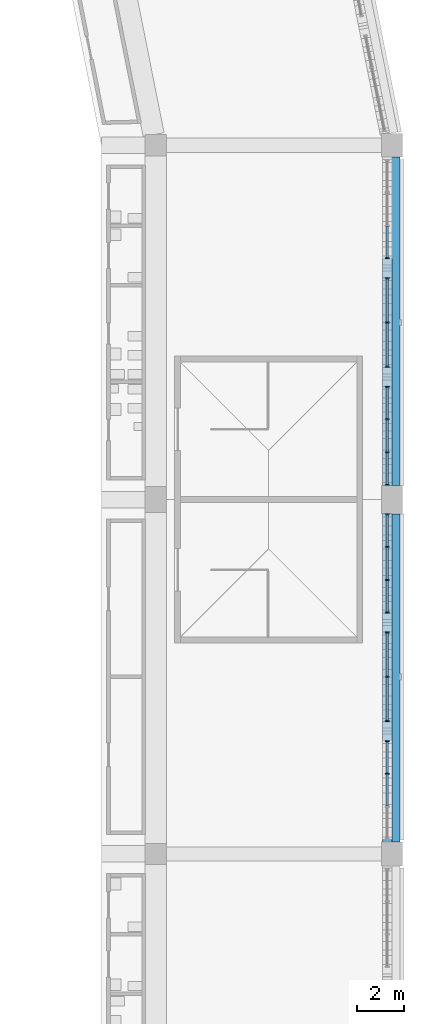
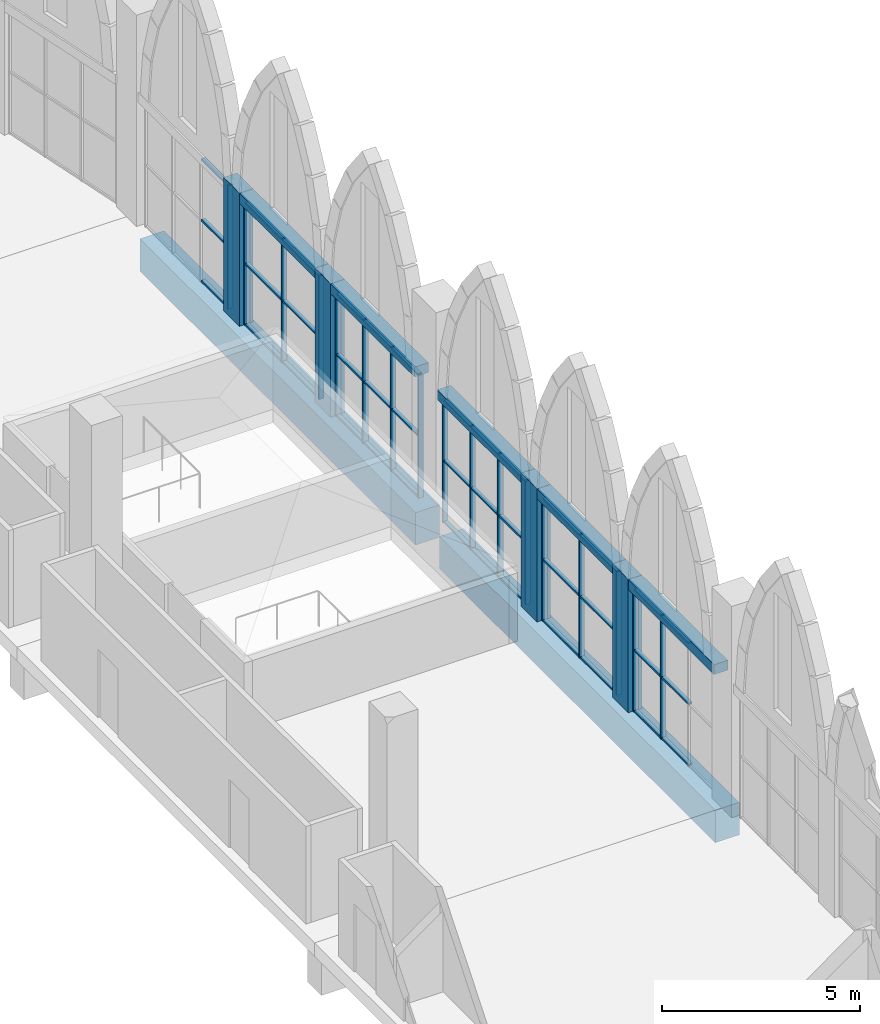
# One storey, part 41 of 130: 60 members, 7 beams, 6 elements without a shape of their own.
"""IFC4 building model written with IfcOpenShell, lengths in metres."""

from ifc_helpers import new_model, si_unit, direction, frame, origin, origin_2d, place, context, subcontext, project, spatial, rectangle, extrude, material, material_profile, profile_set, type_object, element, aggregate, save


model = new_model("IFC4")

# Units and contexts
model_context = context("Model", 3, precision=1e-05, world=origin(), true_north=direction((0.0, 1.0)))
body_context = subcontext(model_context, "Body", "Model", "MODEL_VIEW")
ifc_project = project(units=[si_unit("LENGTHUNIT", "METRE"), si_unit("AREAUNIT", "SQUARE_METRE"), si_unit("VOLUMEUNIT", "CUBIC_METRE"), si_unit("PLANEANGLEUNIT", "RADIAN"), si_unit("MASSUNIT", "GRAM", prefix="KILO")], contexts=[model_context])

# Site, building, storey
site_placement = place(None, origin())
site = spatial("IfcSite", under=ifc_project, at=site_placement, CompositionType="ELEMENT")
building_placement = place(site_placement, origin())
building = spatial("IfcBuilding", under=site, at=building_placement, Name="Ogive Plaza Stadium", CompositionType="ELEMENT")
storey_placement = place(building_placement, frame((0.0, 0.0, 22.5)))
storey = spatial("IfcBuildingStorey", under=building, at=storey_placement, Name="L05", CompositionType="ELEMENT", Elevation=22.5)

# Curtain wall, member
ifc_material_1 = material(Name="Bronze-anodised aluminium with laminated glass", Category="aluminium")
curtain_wall_type = type_object("IfcCurtainWallType", Name="Lancet curtain wall", PredefinedType="NOTDEFINED", material=ifc_material_1)
curtain_wall_1_placement = place(storey_placement, origin())
curtain_wall_1 = element("IfcCurtainWall", 1, at=curtain_wall_1_placement, inside=storey, type_object=curtain_wall_type, Name="CURTAIN WALL B01 L05", PredefinedType="NOTDEFINED")
ifc_material_2 = material(Name="Bronze-anodised aluminium", Category="aluminium")
ifc_material_profile_1 = material_profile(ifc_material_2, rectangle(XDim=0.14990234375, YDim=0.050048828125, at=origin_2d()), Name="AL 150x50")
ifc_profile_set_1 = profile_set([ifc_material_profile_1], Name="Bronze-anodised aluminium")
member_type_1 = type_object("IfcMemberType", Name="Curtain wall mullion 50x150", PredefinedType="MULLION", material=ifc_profile_set_1)
member_1_placement = place(storey_placement, frame((83.800048828125, 47.72509765625, 0.0), z_axis=(0.0, 0.0, 1.0), x_axis=(1.0, 0.0, 0.0)))
member_1 = element("IfcMember", 2, at=member_1_placement, type_object=member_type_1, Name="CW-B01-L05.1 mullion 4", PredefinedType="MULLION", context=body_context, shape_type="SweptSolid", body=[
    extrude(rectangle(XDim=0.14990234375, YDim=0.050048828125, at=origin_2d()), origin(), (0.0, 0.0, 1.0), 3.800048828125),
])

# Curtain wall, members
curtain_wall_2_placement = place(storey_placement, origin())
curtain_wall_2 = element("IfcCurtainWall", 3, at=curtain_wall_2_placement, inside=storey, type_object=curtain_wall_type, Name="CURTAIN WALL B01 L05", PredefinedType="NOTDEFINED")
member_2_placement = place(storey_placement, frame((83.800048828125, 46.875, 0.0), z_axis=(0.0, 0.0, 1.0), x_axis=(1.0, 0.0, 0.0)))
member_2 = element("IfcMember", 4, at=member_2_placement, type_object=member_type_1, Name="CW-B01-L05.2 mullion 1", PredefinedType="MULLION", context=body_context, shape_type="SweptSolid", body=[
    extrude(rectangle(XDim=0.14990234375, YDim=0.050048828125, at=origin_2d()), origin(), (0.0, 0.0, 1.0), 3.800048828125),
])
member_3_placement = place(storey_placement, frame((83.800048828125, 45.0, 0.0), z_axis=(0.0, 0.0, 1.0), x_axis=(1.0, 0.0, 0.0)))
member_3 = element("IfcMember", 5, at=member_3_placement, type_object=member_type_1, Name="CW-B01-L05.2 mullion 2", PredefinedType="MULLION", context=body_context, shape_type="SweptSolid", body=[
    extrude(rectangle(XDim=0.14990234375, YDim=0.050048828125, at=origin_2d()), origin(), (0.0, 0.0, 1.0), 3.800048828125),
])
member_4_placement = place(storey_placement, frame((83.800048828125, 43.125, 0.0), z_axis=(0.0, 0.0, 1.0), x_axis=(1.0, 0.0, 0.0)))
member_4 = element("IfcMember", 6, at=member_4_placement, type_object=member_type_1, Name="CW-B01-L05.2 mullion 3", PredefinedType="MULLION", context=body_context, shape_type="SweptSolid", body=[
    extrude(rectangle(XDim=0.14990234375, YDim=0.050048828125, at=origin_2d()), origin(), (0.0, 0.0, 1.0), 3.800048828125),
])

curtain_wall_3_placement = place(storey_placement, origin())
curtain_wall_3 = element("IfcCurtainWall", 7, at=curtain_wall_3_placement, inside=storey, type_object=curtain_wall_type, Name="CURTAIN WALL B01 L05", PredefinedType="NOTDEFINED")
member_5_placement = place(storey_placement, frame((83.800048828125, 42.27490234375, 0.0), z_axis=(0.0, 0.0, 1.0), x_axis=(1.0, 0.0, 0.0)))
member_5 = element("IfcMember", 8, at=member_5_placement, type_object=member_type_1, Name="CW-B01-L05.3 mullion 1", PredefinedType="MULLION", context=body_context, shape_type="SweptSolid", body=[
    extrude(rectangle(XDim=0.14990234375, YDim=0.050048828125, at=origin_2d()), origin(), (0.0, 0.0, 1.0), 3.800048828125),
])
member_6_placement = place(storey_placement, frame((83.800048828125, 40.89990234375, 0.0), z_axis=(0.0, 0.0, 1.0), x_axis=(1.0, 0.0, 0.0)))
member_6 = element("IfcMember", 9, at=member_6_placement, type_object=member_type_1, Name="CW-B01-L05.3 mullion 2", PredefinedType="MULLION", context=body_context, shape_type="SweptSolid", body=[
    extrude(rectangle(XDim=0.14990234375, YDim=0.050048828125, at=origin_2d()), origin(), (0.0, 0.0, 1.0), 3.800048828125),
])
member_7_placement = place(storey_placement, frame((83.800048828125, 39.5, 0.0), z_axis=(0.0, 0.0, 1.0), x_axis=(1.0, 0.0, 0.0)))
member_7 = element("IfcMember", 10, at=member_7_placement, type_object=member_type_1, Name="CW-B01-L05.3 mullion 3", PredefinedType="MULLION", context=body_context, shape_type="SweptSolid", body=[
    extrude(rectangle(XDim=0.14990234375, YDim=0.050048828125, at=origin_2d()), origin(), (0.0, 0.0, 1.0), 3.800048828125),
])
member_8_placement = place(storey_placement, frame((83.800048828125, 38.125, 0.0), z_axis=(0.0, 0.0, 1.0), x_axis=(1.0, 0.0, 0.0)))
member_8 = element("IfcMember", 11, at=member_8_placement, type_object=member_type_1, Name="CW-B01-L05.3 mullion 4", PredefinedType="MULLION", context=body_context, shape_type="SweptSolid", body=[
    extrude(rectangle(XDim=0.14990234375, YDim=0.050048828125, at=origin_2d()), origin(), (0.0, 0.0, 1.0), 3.800048828125),
])

curtain_wall_4_placement = place(storey_placement, origin())
curtain_wall_4 = element("IfcCurtainWall", 12, at=curtain_wall_4_placement, inside=storey, type_object=curtain_wall_type, Name="CURTAIN WALL B02 L05", PredefinedType="NOTDEFINED")
member_9_placement = place(storey_placement, frame((83.800048828125, 36.875, 0.0), z_axis=(0.0, 0.0, 1.0), x_axis=(1.0, 0.0, 0.0)))
member_9 = element("IfcMember", 13, at=member_9_placement, type_object=member_type_1, Name="CW-B02-L05.1 mullion 1", PredefinedType="MULLION", context=body_context, shape_type="SweptSolid", body=[
    extrude(rectangle(XDim=0.14990234375, YDim=0.050048828125, at=origin_2d()), origin(), (0.0, 0.0, 1.0), 3.800048828125),
])
member_10_placement = place(storey_placement, frame((83.800048828125, 35.5, 0.0), z_axis=(0.0, 0.0, 1.0), x_axis=(1.0, 0.0, 0.0)))
member_10 = element("IfcMember", 14, at=member_10_placement, type_object=member_type_1, Name="CW-B02-L05.1 mullion 2", PredefinedType="MULLION", context=body_context, shape_type="SweptSolid", body=[
    extrude(rectangle(XDim=0.14990234375, YDim=0.050048828125, at=origin_2d()), origin(), (0.0, 0.0, 1.0), 3.800048828125),
])
member_11_placement = place(storey_placement, frame((83.800048828125, 34.10009765625, 0.0), z_axis=(0.0, 0.0, 1.0), x_axis=(1.0, 0.0, 0.0)))
member_11 = element("IfcMember", 15, at=member_11_placement, type_object=member_type_1, Name="CW-B02-L05.1 mullion 3", PredefinedType="MULLION", context=body_context, shape_type="SweptSolid", body=[
    extrude(rectangle(XDim=0.14990234375, YDim=0.050048828125, at=origin_2d()), origin(), (0.0, 0.0, 1.0), 3.800048828125),
])
member_12_placement = place(storey_placement, frame((83.800048828125, 32.72509765625, 0.0), z_axis=(0.0, 0.0, 1.0), x_axis=(1.0, 0.0, 0.0)))
member_12 = element("IfcMember", 16, at=member_12_placement, type_object=member_type_1, Name="CW-B02-L05.1 mullion 4", PredefinedType="MULLION", context=body_context, shape_type="SweptSolid", body=[
    extrude(rectangle(XDim=0.14990234375, YDim=0.050048828125, at=origin_2d()), origin(), (0.0, 0.0, 1.0), 3.800048828125),
])

curtain_wall_5_placement = place(storey_placement, origin())
curtain_wall_5 = element("IfcCurtainWall", 17, at=curtain_wall_5_placement, inside=storey, type_object=curtain_wall_type, Name="CURTAIN WALL B02 L05", PredefinedType="NOTDEFINED")
member_13_placement = place(storey_placement, frame((83.800048828125, 31.875, 0.0), z_axis=(0.0, 0.0, 1.0), x_axis=(1.0, 0.0, 0.0)))
member_13 = element("IfcMember", 18, at=member_13_placement, type_object=member_type_1, Name="CW-B02-L05.2 mullion 1", PredefinedType="MULLION", context=body_context, shape_type="SweptSolid", body=[
    extrude(rectangle(XDim=0.14990234375, YDim=0.050048828125, at=origin_2d()), origin(), (0.0, 0.0, 1.0), 3.800048828125),
])
member_14_placement = place(storey_placement, frame((83.800048828125, 30.0, 0.0), z_axis=(0.0, 0.0, 1.0), x_axis=(1.0, 0.0, 0.0)))
member_14 = element("IfcMember", 19, at=member_14_placement, type_object=member_type_1, Name="CW-B02-L05.2 mullion 2", PredefinedType="MULLION", context=body_context, shape_type="SweptSolid", body=[
    extrude(rectangle(XDim=0.14990234375, YDim=0.050048828125, at=origin_2d()), origin(), (0.0, 0.0, 1.0), 3.800048828125),
])
member_15_placement = place(storey_placement, frame((83.800048828125, 28.125, 0.0), z_axis=(0.0, 0.0, 1.0), x_axis=(1.0, 0.0, 0.0)))
member_15 = element("IfcMember", 20, at=member_15_placement, type_object=member_type_1, Name="CW-B02-L05.2 mullion 3", PredefinedType="MULLION", context=body_context, shape_type="SweptSolid", body=[
    extrude(rectangle(XDim=0.14990234375, YDim=0.050048828125, at=origin_2d()), origin(), (0.0, 0.0, 1.0), 3.800048828125),
])

curtain_wall_6_placement = place(storey_placement, origin())
curtain_wall_6 = element("IfcCurtainWall", 21, at=curtain_wall_6_placement, inside=storey, type_object=curtain_wall_type, Name="CURTAIN WALL B02 L05", PredefinedType="NOTDEFINED")
member_16_placement = place(storey_placement, frame((83.800048828125, 27.27490234375, 0.0), z_axis=(0.0, 0.0, 1.0), x_axis=(1.0, 0.0, 0.0)))
member_16 = element("IfcMember", 22, at=member_16_placement, type_object=member_type_1, Name="CW-B02-L05.3 mullion 1", PredefinedType="MULLION", context=body_context, shape_type="SweptSolid", body=[
    extrude(rectangle(XDim=0.14990234375, YDim=0.050048828125, at=origin_2d()), origin(), (0.0, 0.0, 1.0), 3.800048828125),
])
member_17_placement = place(storey_placement, frame((83.800048828125, 25.89990234375, 0.0), z_axis=(0.0, 0.0, 1.0), x_axis=(1.0, 0.0, 0.0)))
member_17 = element("IfcMember", 23, at=member_17_placement, type_object=member_type_1, Name="CW-B02-L05.3 mullion 2", PredefinedType="MULLION", context=body_context, shape_type="SweptSolid", body=[
    extrude(rectangle(XDim=0.14990234375, YDim=0.050048828125, at=origin_2d()), origin(), (0.0, 0.0, 1.0), 3.800048828125),
])

# Member
ifc_material_3 = material(Name="Bronze-anodised aluminium", Category="aluminium")
ifc_material_profile_2 = material_profile(ifc_material_3, rectangle(XDim=0.1201171875, YDim=0.050048828125, at=origin_2d()), Name="AL 120x50")
ifc_profile_set_2 = profile_set([ifc_material_profile_2], Name="Bronze-anodised aluminium")
member_type_2 = type_object("IfcMemberType", Name="Curtain wall transom 50x120", PredefinedType="USERDEFINED", material=ifc_profile_set_2)
member_18_placement = place(storey_placement, frame((83.800048828125, 49.074951171875, 0.02490234375), z_axis=(0.0, -1.0, 0.0), x_axis=(1.0, 0.0, 0.0)))
member_18 = element("IfcMember", 24, at=member_18_placement, type_object=member_type_2, Name="CW-B01-L05.1 transom 3.1", ObjectType="TRANSOM", PredefinedType="USERDEFINED", context=body_context, shape_type="SweptSolid", body=[
    extrude(rectangle(XDim=0.1201171875, YDim=0.050048828125, at=origin_2d()), origin(), (0.0, 0.0, 1.0), 1.324951171875),
])

member_19_placement = place(storey_placement, frame((83.800048828125, 49.074951171875, 1.89990234375), z_axis=(0.0, -1.0, 0.0), x_axis=(1.0, 0.0, 0.0)))
member_19 = element("IfcMember", 25, at=member_19_placement, type_object=member_type_2, Name="CW-B01-L05.1 transom 3.2", ObjectType="TRANSOM", PredefinedType="USERDEFINED", context=body_context, shape_type="SweptSolid", body=[
    extrude(rectangle(XDim=0.1201171875, YDim=0.050048828125, at=origin_2d()), origin(), (0.0, 0.0, 1.0), 1.324951171875),
])

member_20_placement = place(storey_placement, frame((83.800048828125, 49.074951171875, 3.77490234375), z_axis=(0.0, -1.0, 0.0), x_axis=(1.0, 0.0, 0.0)))
member_20 = element("IfcMember", 26, at=member_20_placement, type_object=member_type_2, Name="CW-B01-L05.1 transom 3.3", ObjectType="TRANSOM", PredefinedType="USERDEFINED", context=body_context, shape_type="SweptSolid", body=[
    extrude(rectangle(XDim=0.1201171875, YDim=0.050048828125, at=origin_2d()), origin(), (0.0, 0.0, 1.0), 1.324951171875),
])

aggregate(curtain_wall_1, [member_1, member_18, member_19, member_20])

member_21_placement = place(storey_placement, frame((83.800048828125, 46.85009765625, 0.02490234375), z_axis=(0.0, -1.0, 0.0), x_axis=(1.0, 0.0, 0.0)))
member_21 = element("IfcMember", 27, at=member_21_placement, type_object=member_type_2, Name="CW-B01-L05.2 transom 1.1", ObjectType="TRANSOM", PredefinedType="USERDEFINED", context=body_context, shape_type="SweptSolid", body=[
    extrude(rectangle(XDim=0.1201171875, YDim=0.050048828125, at=origin_2d()), origin(), (0.0, 0.0, 1.0), 1.8251953125),
])

member_22_placement = place(storey_placement, frame((83.800048828125, 46.85009765625, 1.89990234375), z_axis=(0.0, -1.0, 0.0), x_axis=(1.0, 0.0, 0.0)))
member_22 = element("IfcMember", 28, at=member_22_placement, type_object=member_type_2, Name="CW-B01-L05.2 transom 1.2", ObjectType="TRANSOM", PredefinedType="USERDEFINED", context=body_context, shape_type="SweptSolid", body=[
    extrude(rectangle(XDim=0.1201171875, YDim=0.050048828125, at=origin_2d()), origin(), (0.0, 0.0, 1.0), 1.8251953125),
])

member_23_placement = place(storey_placement, frame((83.800048828125, 46.85009765625, 3.77490234375), z_axis=(0.0, -1.0, 0.0), x_axis=(1.0, 0.0, 0.0)))
member_23 = element("IfcMember", 29, at=member_23_placement, type_object=member_type_2, Name="CW-B01-L05.2 transom 1.3", ObjectType="TRANSOM", PredefinedType="USERDEFINED", context=body_context, shape_type="SweptSolid", body=[
    extrude(rectangle(XDim=0.1201171875, YDim=0.050048828125, at=origin_2d()), origin(), (0.0, 0.0, 1.0), 1.8251953125),
])

member_24_placement = place(storey_placement, frame((83.800048828125, 44.97509765625, 0.02490234375), z_axis=(0.0, -1.0, 0.0), x_axis=(1.0, 0.0, 0.0)))
member_24 = element("IfcMember", 30, at=member_24_placement, type_object=member_type_2, Name="CW-B01-L05.2 transom 2.1", ObjectType="TRANSOM", PredefinedType="USERDEFINED", context=body_context, shape_type="SweptSolid", body=[
    extrude(rectangle(XDim=0.1201171875, YDim=0.050048828125, at=origin_2d()), origin(), (0.0, 0.0, 1.0), 1.8251953125),
])

member_25_placement = place(storey_placement, frame((83.800048828125, 44.97509765625, 1.89990234375), z_axis=(0.0, -1.0, 0.0), x_axis=(1.0, 0.0, 0.0)))
member_25 = element("IfcMember", 31, at=member_25_placement, type_object=member_type_2, Name="CW-B01-L05.2 transom 2.2", ObjectType="TRANSOM", PredefinedType="USERDEFINED", context=body_context, shape_type="SweptSolid", body=[
    extrude(rectangle(XDim=0.1201171875, YDim=0.050048828125, at=origin_2d()), origin(), (0.0, 0.0, 1.0), 1.8251953125),
])

member_26_placement = place(storey_placement, frame((83.800048828125, 44.97509765625, 3.77490234375), z_axis=(0.0, -1.0, 0.0), x_axis=(1.0, 0.0, 0.0)))
member_26 = element("IfcMember", 32, at=member_26_placement, type_object=member_type_2, Name="CW-B01-L05.2 transom 2.3", ObjectType="TRANSOM", PredefinedType="USERDEFINED", context=body_context, shape_type="SweptSolid", body=[
    extrude(rectangle(XDim=0.1201171875, YDim=0.050048828125, at=origin_2d()), origin(), (0.0, 0.0, 1.0), 1.8251953125),
])

aggregate(curtain_wall_2, [member_2, member_3, member_4, member_21, member_22, member_23, member_24, member_25, member_26])

member_27_placement = place(storey_placement, frame((83.800048828125, 42.25, 0.02490234375), z_axis=(0.0, -1.0, 0.0), x_axis=(1.0, 0.0, 0.0)))
member_27 = element("IfcMember", 33, at=member_27_placement, type_object=member_type_2, Name="CW-B01-L05.3 transom 1.1", ObjectType="TRANSOM", PredefinedType="USERDEFINED", context=body_context, shape_type="SweptSolid", body=[
    extrude(rectangle(XDim=0.1201171875, YDim=0.050048828125, at=origin_2d()), origin(), (0.0, 0.0, 1.0), 1.324951171875),
])

member_28_placement = place(storey_placement, frame((83.800048828125, 42.25, 1.89990234375), z_axis=(0.0, -1.0, 0.0), x_axis=(1.0, 0.0, 0.0)))
member_28 = element("IfcMember", 34, at=member_28_placement, type_object=member_type_2, Name="CW-B01-L05.3 transom 1.2", ObjectType="TRANSOM", PredefinedType="USERDEFINED", context=body_context, shape_type="SweptSolid", body=[
    extrude(rectangle(XDim=0.1201171875, YDim=0.050048828125, at=origin_2d()), origin(), (0.0, 0.0, 1.0), 1.324951171875),
])

member_29_placement = place(storey_placement, frame((83.800048828125, 42.25, 3.77490234375), z_axis=(0.0, -1.0, 0.0), x_axis=(1.0, 0.0, 0.0)))
member_29 = element("IfcMember", 35, at=member_29_placement, type_object=member_type_2, Name="CW-B01-L05.3 transom 1.3", ObjectType="TRANSOM", PredefinedType="USERDEFINED", context=body_context, shape_type="SweptSolid", body=[
    extrude(rectangle(XDim=0.1201171875, YDim=0.050048828125, at=origin_2d()), origin(), (0.0, 0.0, 1.0), 1.324951171875),
])

member_30_placement = place(storey_placement, frame((83.800048828125, 40.875, 0.02490234375), z_axis=(0.0, -1.0, 0.0), x_axis=(1.0, 0.0, 0.0)))
member_30 = element("IfcMember", 36, at=member_30_placement, type_object=member_type_2, Name="CW-B01-L05.3 transom 2.1", ObjectType="TRANSOM", PredefinedType="USERDEFINED", context=body_context, shape_type="SweptSolid", body=[
    extrude(rectangle(XDim=0.1201171875, YDim=0.050048828125, at=origin_2d()), origin(), (0.0, 0.0, 1.0), 1.35009765625),
])

member_31_placement = place(storey_placement, frame((83.800048828125, 40.875, 1.89990234375), z_axis=(0.0, -1.0, 0.0), x_axis=(1.0, 0.0, 0.0)))
member_31 = element("IfcMember", 37, at=member_31_placement, type_object=member_type_2, Name="CW-B01-L05.3 transom 2.2", ObjectType="TRANSOM", PredefinedType="USERDEFINED", context=body_context, shape_type="SweptSolid", body=[
    extrude(rectangle(XDim=0.1201171875, YDim=0.050048828125, at=origin_2d()), origin(), (0.0, 0.0, 1.0), 1.35009765625),
])

member_32_placement = place(storey_placement, frame((83.800048828125, 40.875, 3.77490234375), z_axis=(0.0, -1.0, 0.0), x_axis=(1.0, 0.0, 0.0)))
member_32 = element("IfcMember", 38, at=member_32_placement, type_object=member_type_2, Name="CW-B01-L05.3 transom 2.3", ObjectType="TRANSOM", PredefinedType="USERDEFINED", context=body_context, shape_type="SweptSolid", body=[
    extrude(rectangle(XDim=0.1201171875, YDim=0.050048828125, at=origin_2d()), origin(), (0.0, 0.0, 1.0), 1.35009765625),
])

member_33_placement = place(storey_placement, frame((83.800048828125, 39.47509765625, 0.02490234375), z_axis=(0.0, -1.0, 0.0), x_axis=(1.0, 0.0, 0.0)))
member_33 = element("IfcMember", 39, at=member_33_placement, type_object=member_type_2, Name="CW-B01-L05.3 transom 3.1", ObjectType="TRANSOM", PredefinedType="USERDEFINED", context=body_context, shape_type="SweptSolid", body=[
    extrude(rectangle(XDim=0.1201171875, YDim=0.050048828125, at=origin_2d()), origin(), (0.0, 0.0, 1.0), 1.3251953125),
])

member_34_placement = place(storey_placement, frame((83.800048828125, 39.47509765625, 1.89990234375), z_axis=(0.0, -1.0, 0.0), x_axis=(1.0, 0.0, 0.0)))
member_34 = element("IfcMember", 40, at=member_34_placement, type_object=member_type_2, Name="CW-B01-L05.3 transom 3.2", ObjectType="TRANSOM", PredefinedType="USERDEFINED", context=body_context, shape_type="SweptSolid", body=[
    extrude(rectangle(XDim=0.1201171875, YDim=0.050048828125, at=origin_2d()), origin(), (0.0, 0.0, 1.0), 1.3251953125),
])

member_35_placement = place(storey_placement, frame((83.800048828125, 39.47509765625, 3.77490234375), z_axis=(0.0, -1.0, 0.0), x_axis=(1.0, 0.0, 0.0)))
member_35 = element("IfcMember", 41, at=member_35_placement, type_object=member_type_2, Name="CW-B01-L05.3 transom 3.3", ObjectType="TRANSOM", PredefinedType="USERDEFINED", context=body_context, shape_type="SweptSolid", body=[
    extrude(rectangle(XDim=0.1201171875, YDim=0.050048828125, at=origin_2d()), origin(), (0.0, 0.0, 1.0), 1.3251953125),
])

aggregate(curtain_wall_3, [member_5, member_6, member_7, member_8, member_27, member_28, member_29, member_30, member_31, member_32, member_33, member_34, member_35])

member_36_placement = place(storey_placement, frame((83.800048828125, 36.85009765625, 0.02490234375), z_axis=(0.0, -1.0, 0.0), x_axis=(1.0, 0.0, 0.0)))
member_36 = element("IfcMember", 42, at=member_36_placement, type_object=member_type_2, Name="CW-B02-L05.1 transom 1.1", ObjectType="TRANSOM", PredefinedType="USERDEFINED", context=body_context, shape_type="SweptSolid", body=[
    extrude(rectangle(XDim=0.1201171875, YDim=0.050048828125, at=origin_2d()), origin(), (0.0, 0.0, 1.0), 1.3251953125),
])

member_37_placement = place(storey_placement, frame((83.800048828125, 36.85009765625, 1.89990234375), z_axis=(0.0, -1.0, 0.0), x_axis=(1.0, 0.0, 0.0)))
member_37 = element("IfcMember", 43, at=member_37_placement, type_object=member_type_2, Name="CW-B02-L05.1 transom 1.2", ObjectType="TRANSOM", PredefinedType="USERDEFINED", context=body_context, shape_type="SweptSolid", body=[
    extrude(rectangle(XDim=0.1201171875, YDim=0.050048828125, at=origin_2d()), origin(), (0.0, 0.0, 1.0), 1.3251953125),
])

member_38_placement = place(storey_placement, frame((83.800048828125, 36.85009765625, 3.77490234375), z_axis=(0.0, -1.0, 0.0), x_axis=(1.0, 0.0, 0.0)))
member_38 = element("IfcMember", 44, at=member_38_placement, type_object=member_type_2, Name="CW-B02-L05.1 transom 1.3", ObjectType="TRANSOM", PredefinedType="USERDEFINED", context=body_context, shape_type="SweptSolid", body=[
    extrude(rectangle(XDim=0.1201171875, YDim=0.050048828125, at=origin_2d()), origin(), (0.0, 0.0, 1.0), 1.3251953125),
])

member_39_placement = place(storey_placement, frame((83.800048828125, 35.47509765625, 0.02490234375), z_axis=(0.0, -1.0, 0.0), x_axis=(1.0, 0.0, 0.0)))
member_39 = element("IfcMember", 45, at=member_39_placement, type_object=member_type_2, Name="CW-B02-L05.1 transom 2.1", ObjectType="TRANSOM", PredefinedType="USERDEFINED", context=body_context, shape_type="SweptSolid", body=[
    extrude(rectangle(XDim=0.1201171875, YDim=0.050048828125, at=origin_2d()), origin(), (0.0, 0.0, 1.0), 1.35009765625),
])

member_40_placement = place(storey_placement, frame((83.800048828125, 35.47509765625, 1.89990234375), z_axis=(0.0, -1.0, 0.0), x_axis=(1.0, 0.0, 0.0)))
member_40 = element("IfcMember", 46, at=member_40_placement, type_object=member_type_2, Name="CW-B02-L05.1 transom 2.2", ObjectType="TRANSOM", PredefinedType="USERDEFINED", context=body_context, shape_type="SweptSolid", body=[
    extrude(rectangle(XDim=0.1201171875, YDim=0.050048828125, at=origin_2d()), origin(), (0.0, 0.0, 1.0), 1.35009765625),
])

member_41_placement = place(storey_placement, frame((83.800048828125, 35.47509765625, 3.77490234375), z_axis=(0.0, -1.0, 0.0), x_axis=(1.0, 0.0, 0.0)))
member_41 = element("IfcMember", 47, at=member_41_placement, type_object=member_type_2, Name="CW-B02-L05.1 transom 2.3", ObjectType="TRANSOM", PredefinedType="USERDEFINED", context=body_context, shape_type="SweptSolid", body=[
    extrude(rectangle(XDim=0.1201171875, YDim=0.050048828125, at=origin_2d()), origin(), (0.0, 0.0, 1.0), 1.35009765625),
])

member_42_placement = place(storey_placement, frame((83.800048828125, 34.074951171875, 0.02490234375), z_axis=(0.0, -1.0, 0.0), x_axis=(1.0, 0.0, 0.0)))
member_42 = element("IfcMember", 48, at=member_42_placement, type_object=member_type_2, Name="CW-B02-L05.1 transom 3.1", ObjectType="TRANSOM", PredefinedType="USERDEFINED", context=body_context, shape_type="SweptSolid", body=[
    extrude(rectangle(XDim=0.1201171875, YDim=0.050048828125, at=origin_2d()), origin(), (0.0, 0.0, 1.0), 1.324951171875),
])

member_43_placement = place(storey_placement, frame((83.800048828125, 34.074951171875, 1.89990234375), z_axis=(0.0, -1.0, 0.0), x_axis=(1.0, 0.0, 0.0)))
member_43 = element("IfcMember", 49, at=member_43_placement, type_object=member_type_2, Name="CW-B02-L05.1 transom 3.2", ObjectType="TRANSOM", PredefinedType="USERDEFINED", context=body_context, shape_type="SweptSolid", body=[
    extrude(rectangle(XDim=0.1201171875, YDim=0.050048828125, at=origin_2d()), origin(), (0.0, 0.0, 1.0), 1.324951171875),
])

member_44_placement = place(storey_placement, frame((83.800048828125, 34.074951171875, 3.77490234375), z_axis=(0.0, -1.0, 0.0), x_axis=(1.0, 0.0, 0.0)))
member_44 = element("IfcMember", 50, at=member_44_placement, type_object=member_type_2, Name="CW-B02-L05.1 transom 3.3", ObjectType="TRANSOM", PredefinedType="USERDEFINED", context=body_context, shape_type="SweptSolid", body=[
    extrude(rectangle(XDim=0.1201171875, YDim=0.050048828125, at=origin_2d()), origin(), (0.0, 0.0, 1.0), 1.324951171875),
])

aggregate(curtain_wall_4, [member_9, member_10, member_11, member_12, member_36, member_37, member_38, member_39, member_40, member_41, member_42, member_43, member_44])

member_45_placement = place(storey_placement, frame((83.800048828125, 31.85009765625, 0.02490234375), z_axis=(0.0, -1.0, 0.0), x_axis=(1.0, 0.0, 0.0)))
member_45 = element("IfcMember", 51, at=member_45_placement, type_object=member_type_2, Name="CW-B02-L05.2 transom 1.1", ObjectType="TRANSOM", PredefinedType="USERDEFINED", context=body_context, shape_type="SweptSolid", body=[
    extrude(rectangle(XDim=0.1201171875, YDim=0.050048828125, at=origin_2d()), origin(), (0.0, 0.0, 1.0), 1.8251953125),
])

member_46_placement = place(storey_placement, frame((83.800048828125, 31.85009765625, 1.89990234375), z_axis=(0.0, -1.0, 0.0), x_axis=(1.0, 0.0, 0.0)))
member_46 = element("IfcMember", 52, at=member_46_placement, type_object=member_type_2, Name="CW-B02-L05.2 transom 1.2", ObjectType="TRANSOM", PredefinedType="USERDEFINED", context=body_context, shape_type="SweptSolid", body=[
    extrude(rectangle(XDim=0.1201171875, YDim=0.050048828125, at=origin_2d()), origin(), (0.0, 0.0, 1.0), 1.8251953125),
])

member_47_placement = place(storey_placement, frame((83.800048828125, 31.85009765625, 3.77490234375), z_axis=(0.0, -1.0, 0.0), x_axis=(1.0, 0.0, 0.0)))
member_47 = element("IfcMember", 53, at=member_47_placement, type_object=member_type_2, Name="CW-B02-L05.2 transom 1.3", ObjectType="TRANSOM", PredefinedType="USERDEFINED", context=body_context, shape_type="SweptSolid", body=[
    extrude(rectangle(XDim=0.1201171875, YDim=0.050048828125, at=origin_2d()), origin(), (0.0, 0.0, 1.0), 1.8251953125),
])

member_48_placement = place(storey_placement, frame((83.800048828125, 29.97509765625, 0.02490234375), z_axis=(0.0, -1.0, 0.0), x_axis=(1.0, 0.0, 0.0)))
member_48 = element("IfcMember", 54, at=member_48_placement, type_object=member_type_2, Name="CW-B02-L05.2 transom 2.1", ObjectType="TRANSOM", PredefinedType="USERDEFINED", context=body_context, shape_type="SweptSolid", body=[
    extrude(rectangle(XDim=0.1201171875, YDim=0.050048828125, at=origin_2d()), origin(), (0.0, 0.0, 1.0), 1.8251953125),
])

member_49_placement = place(storey_placement, frame((83.800048828125, 29.97509765625, 1.89990234375), z_axis=(0.0, -1.0, 0.0), x_axis=(1.0, 0.0, 0.0)))
member_49 = element("IfcMember", 55, at=member_49_placement, type_object=member_type_2, Name="CW-B02-L05.2 transom 2.2", ObjectType="TRANSOM", PredefinedType="USERDEFINED", context=body_context, shape_type="SweptSolid", body=[
    extrude(rectangle(XDim=0.1201171875, YDim=0.050048828125, at=origin_2d()), origin(), (0.0, 0.0, 1.0), 1.8251953125),
])

member_50_placement = place(storey_placement, frame((83.800048828125, 29.97509765625, 3.77490234375), z_axis=(0.0, -1.0, 0.0), x_axis=(1.0, 0.0, 0.0)))
member_50 = element("IfcMember", 56, at=member_50_placement, type_object=member_type_2, Name="CW-B02-L05.2 transom 2.3", ObjectType="TRANSOM", PredefinedType="USERDEFINED", context=body_context, shape_type="SweptSolid", body=[
    extrude(rectangle(XDim=0.1201171875, YDim=0.050048828125, at=origin_2d()), origin(), (0.0, 0.0, 1.0), 1.8251953125),
])

aggregate(curtain_wall_5, [member_13, member_14, member_15, member_45, member_46, member_47, member_48, member_49, member_50])

member_51_placement = place(storey_placement, frame((83.800048828125, 27.25, 0.02490234375), z_axis=(0.0, -1.0, 0.0), x_axis=(1.0, 0.0, 0.0)))
member_51 = element("IfcMember", 57, at=member_51_placement, type_object=member_type_2, Name="CW-B02-L05.3 transom 1.1", ObjectType="TRANSOM", PredefinedType="USERDEFINED", context=body_context, shape_type="SweptSolid", body=[
    extrude(rectangle(XDim=0.1201171875, YDim=0.050048828125, at=origin_2d()), origin(), (0.0, 0.0, 1.0), 1.324951171875),
])

member_52_placement = place(storey_placement, frame((83.800048828125, 27.25, 1.89990234375), z_axis=(0.0, -1.0, 0.0), x_axis=(1.0, 0.0, 0.0)))
member_52 = element("IfcMember", 58, at=member_52_placement, type_object=member_type_2, Name="CW-B02-L05.3 transom 1.2", ObjectType="TRANSOM", PredefinedType="USERDEFINED", context=body_context, shape_type="SweptSolid", body=[
    extrude(rectangle(XDim=0.1201171875, YDim=0.050048828125, at=origin_2d()), origin(), (0.0, 0.0, 1.0), 1.324951171875),
])

member_53_placement = place(storey_placement, frame((83.800048828125, 27.25, 3.77490234375), z_axis=(0.0, -1.0, 0.0), x_axis=(1.0, 0.0, 0.0)))
member_53 = element("IfcMember", 59, at=member_53_placement, type_object=member_type_2, Name="CW-B02-L05.3 transom 1.3", ObjectType="TRANSOM", PredefinedType="USERDEFINED", context=body_context, shape_type="SweptSolid", body=[
    extrude(rectangle(XDim=0.1201171875, YDim=0.050048828125, at=origin_2d()), origin(), (0.0, 0.0, 1.0), 1.324951171875),
])

member_54_placement = place(storey_placement, frame((83.800048828125, 25.875, 0.02490234375), z_axis=(0.0, -1.0, 0.0), x_axis=(1.0, 0.0, 0.0)))
member_54 = element("IfcMember", 60, at=member_54_placement, type_object=member_type_2, Name="CW-B02-L05.3 transom 2.1", ObjectType="TRANSOM", PredefinedType="USERDEFINED", context=body_context, shape_type="SweptSolid", body=[
    extrude(rectangle(XDim=0.1201171875, YDim=0.050048828125, at=origin_2d()), origin(), (0.0, 0.0, 1.0), 1.35009765625),
])

member_55_placement = place(storey_placement, frame((83.800048828125, 25.875, 1.89990234375), z_axis=(0.0, -1.0, 0.0), x_axis=(1.0, 0.0, 0.0)))
member_55 = element("IfcMember", 61, at=member_55_placement, type_object=member_type_2, Name="CW-B02-L05.3 transom 2.2", ObjectType="TRANSOM", PredefinedType="USERDEFINED", context=body_context, shape_type="SweptSolid", body=[
    extrude(rectangle(XDim=0.1201171875, YDim=0.050048828125, at=origin_2d()), origin(), (0.0, 0.0, 1.0), 1.35009765625),
])

member_56_placement = place(storey_placement, frame((83.800048828125, 25.875, 3.77490234375), z_axis=(0.0, -1.0, 0.0), x_axis=(1.0, 0.0, 0.0)))
member_56 = element("IfcMember", 62, at=member_56_placement, type_object=member_type_2, Name="CW-B02-L05.3 transom 2.3", ObjectType="TRANSOM", PredefinedType="USERDEFINED", context=body_context, shape_type="SweptSolid", body=[
    extrude(rectangle(XDim=0.1201171875, YDim=0.050048828125, at=origin_2d()), origin(), (0.0, 0.0, 1.0), 1.35009765625),
])

aggregate(curtain_wall_6, [member_16, member_17, member_51, member_52, member_53, member_54, member_55, member_56])

# Members
ifc_material_4 = material(Name="Concrete C45/55 precast", Category="concrete")
ifc_material_profile_3 = material_profile(ifc_material_4, rectangle(XDim=0.39990234375, YDim=0.800048828125, at=origin_2d()), Name="RC 400x800")
ifc_profile_set_3 = profile_set([ifc_material_profile_3], Name="Concrete C45/55 precast")
member_type_3 = type_object("IfcMemberType", Name="Precast colonette 800x400", PredefinedType="POST", material=ifc_profile_set_3)
for number, where, z_axis, x_axis, name in (
    (63, (83.800048828125, 47.300048828125, 0.0), (0.0, 0.0, 1.0), (1.0, 0.0, 0.0), "COLONETTE B01 1"),
    (64, (83.800048828125, 42.699951171875, 0.0), (0.0, 0.0, 1.0), (1.0, 0.0, 0.0), "COLONETTE B01 2"),
    (65, (83.800048828125, 32.300048828125, 0.0), (0.0, 0.0, 1.0), (1.0, 0.0, 0.0), "COLONETTE B02 1"),
    (66, (83.800048828125, 27.699951171875, 0.0), (0.0, 0.0, 1.0), (1.0, 0.0, 0.0), "COLONETTE B02 2"),
):
    element("IfcMember", number, at=place(storey_placement, frame(where, z_axis=z_axis, x_axis=x_axis)), inside=storey, type_object=member_type_3, Name=name, PredefinedType="POST", context=body_context, shape_type="SweptSolid", body=[
        extrude(rectangle(XDim=0.39990234375, YDim=0.800048828125, at=origin_2d()), origin(), (0.0, 0.0, 1.0), 4.10009765625),
    ])

# Beams
ifc_material_5 = material(Name="Concrete C45/55 precast", Category="concrete")
ifc_material_profile_4 = material_profile(ifc_material_5, rectangle(XDim=0.39990234375, YDim=0.300048828125, at=origin_2d()), Name="RC 400x300")
ifc_profile_set_4 = profile_set([ifc_material_profile_4], Name="Concrete C45/55 precast")
beam_type_1 = type_object("IfcBeamType", Name="Precast tympanum lintel 400x300", PredefinedType="BEAM", material=ifc_profile_set_4)
beam_1_placement = place(storey_placement, frame((83.800048828125, 46.929931640625, 3.949951171875), z_axis=(0.0, -1.0, 0.0), x_axis=(1.0, 0.0, 0.0)))
element("IfcBeam", 67, at=beam_1_placement, inside=storey, type_object=beam_type_1, Name="TYMPANUM LINTEL B01 2", PredefinedType="BEAM", context=body_context, shape_type="SweptSolid", body=[
    extrude(rectangle(XDim=0.39990234375, YDim=0.300048828125, at=origin_2d()), origin(), (0.0, 0.0, 1.0), 3.85986328125),
])
for number, where, z_axis, x_axis, name in (
    (68, (83.800048828125, 42.330078125, 3.949951171875), (0.0, -1.0, 0.0), (1.0, 0.0, 0.0), "TYMPANUM LINTEL B01 3"),
    (69, (83.800048828125, 36.929931640625, 3.949951171875), (0.0, -1.0, 0.0), (1.0, 0.0, 0.0), "TYMPANUM LINTEL B02 1"),
):
    element("IfcBeam", number, at=place(storey_placement, frame(where, z_axis=z_axis, x_axis=x_axis)), inside=storey, type_object=beam_type_1, Name=name, PredefinedType="BEAM", context=body_context, shape_type="SweptSolid", body=[
        extrude(rectangle(XDim=0.39990234375, YDim=0.300048828125, at=origin_2d()), origin(), (0.0, 0.0, 1.0), 4.260009765625),
    ])
beam_2_placement = place(storey_placement, frame((83.800048828125, 31.929931640625, 3.949951171875), z_axis=(0.0, -1.0, 0.0), x_axis=(1.0, 0.0, 0.0)))
element("IfcBeam", 70, at=beam_2_placement, inside=storey, type_object=beam_type_1, Name="TYMPANUM LINTEL B02 2", PredefinedType="BEAM", context=body_context, shape_type="SweptSolid", body=[
    extrude(rectangle(XDim=0.39990234375, YDim=0.300048828125, at=origin_2d()), origin(), (0.0, 0.0, 1.0), 3.85986328125),
])
beam_3_placement = place(storey_placement, frame((83.800048828125, 27.330078125, 3.949951171875), z_axis=(0.0, -1.0, 0.0), x_axis=(1.0, 0.0, 0.0)))
element("IfcBeam", 71, at=beam_3_placement, inside=storey, type_object=beam_type_1, Name="TYMPANUM LINTEL B02 3", PredefinedType="BEAM", context=body_context, shape_type="SweptSolid", body=[
    extrude(rectangle(XDim=0.39990234375, YDim=0.300048828125, at=origin_2d()), origin(), (0.0, 0.0, 1.0), 4.360107421875),
])
ifc_material_6 = material(Name="Concrete C40/50", Category="concrete")
ifc_material_profile_5 = material_profile(ifc_material_6, rectangle(XDim=0.699951171875, YDim=1.0, at=origin_2d()), Name="RC 700x1000")
ifc_profile_set_5 = profile_set([ifc_material_profile_5], Name="Concrete C40/50")
beam_type_2 = type_object("IfcBeamType", Name="RC spandrel beam 700x1000", PredefinedType="SPANDREL", material=ifc_profile_set_5)
for number, where, z_axis, x_axis, name in (
    (72, (84.0, 52.0, -0.909912109375), (0.0, -1.0, 0.0), (1.0, 0.0, 0.0), "Ring beam F5 L05 B01"),
    (73, (84.0, 36.89990234375, -0.909912109375), (0.0, -1.0, 0.0), (1.0, 0.0, 0.0), "Ring beam F5 L05 B02"),
):
    element("IfcBeam", number, at=place(storey_placement, frame(where, z_axis=z_axis, x_axis=x_axis)), inside=storey, type_object=beam_type_2, Name=name, PredefinedType="SPANDREL", context=body_context, shape_type="SweptSolid", body=[
        extrude(rectangle(XDim=0.699951171875, YDim=1.0, at=origin_2d()), origin(), (0.0, 0.0, 1.0), 13.89990234375),
    ])

save(model, "model.ifc")
